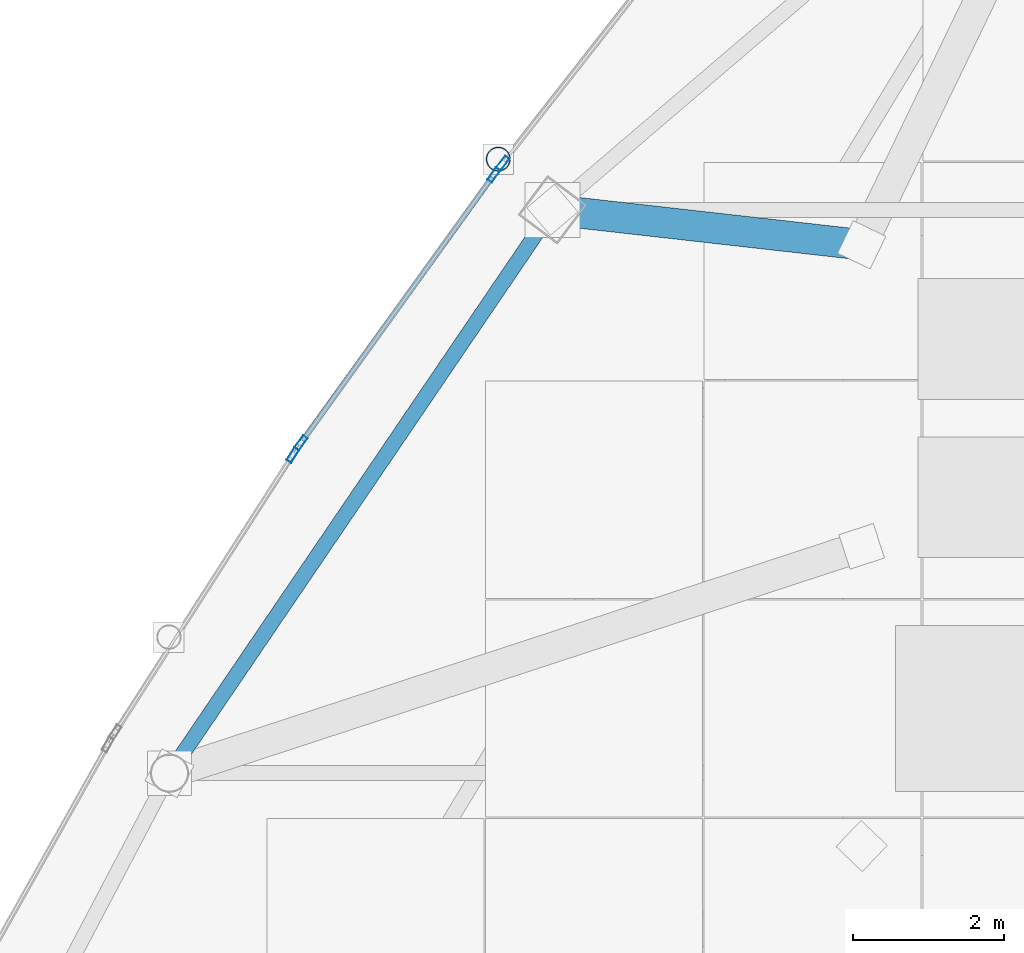
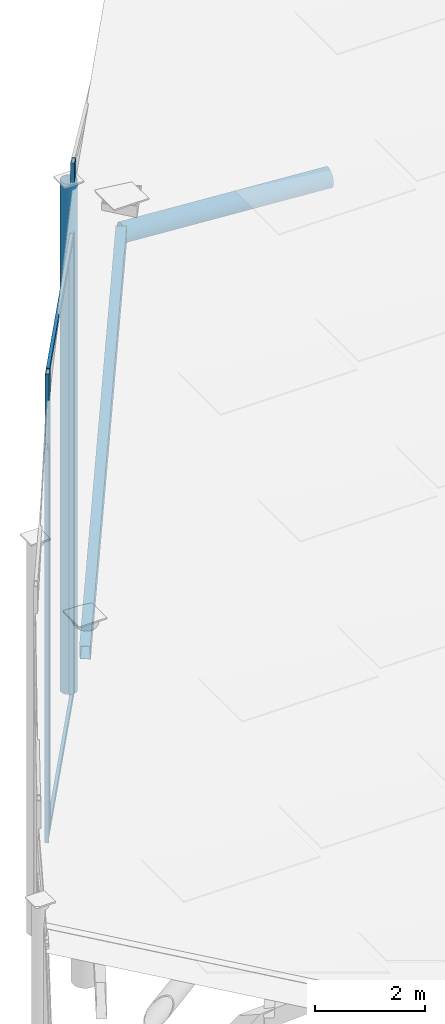
# One storey, part 8 of 21: 9 members, 3 elements without a shape of their own.
"""IFC4 building model written with IfcOpenShell, lengths in metres."""

from ifc_helpers import new_model, si_unit, direction, frame, origin, origin_2d, place, context, subcontext, project, spatial, hollow_rectangle, hollow_circle, extrude, material, layer, layer_set, material_profile, profile_set, type_object, element, aggregate, save


model = new_model("IFC4")

# Units and contexts
model_context = context("Model", 3, precision=1e-05, world=origin(), true_north=direction((0.0, 1.0)))
body_context = subcontext(model_context, "Body", "Model", "MODEL_VIEW")
ifc_project = project(units=[si_unit("LENGTHUNIT", "METRE"), si_unit("AREAUNIT", "SQUARE_METRE"), si_unit("VOLUMEUNIT", "CUBIC_METRE"), si_unit("PLANEANGLEUNIT", "RADIAN"), si_unit("MASSUNIT", "GRAM", prefix="KILO")], contexts=[model_context])

# Site, building, storey
site_placement = place(None, origin())
site = spatial("IfcSite", under=ifc_project, at=site_placement, CompositionType="ELEMENT")
building_placement = place(site_placement, origin())
building = spatial("IfcBuilding", under=site, at=building_placement, Name="Orvanel Arch Residences", CompositionType="ELEMENT")
storey_placement = place(building_placement, frame((0.0, 0.0, 314.89990234375)))
storey = spatial("IfcBuildingStorey", under=building, at=storey_placement, Name="RF", CompositionType="ELEMENT", Elevation=314.89990234375)

# Curtain wall, member
ifc_material_1 = material(Name="Bronze-anodised aluminium AA6063-T6", Category="aluminium")
ifc_layer = layer(ifc_material_1, 0.2099609375)
ifc_layer_set = layer_set([ifc_layer], Name="Bronze-anodised aluminium AA6063-T6")
curtain_wall_type = type_object("IfcCurtainWallType", Name="CW7-TOP-SYS", PredefinedType="NOTDEFINED", material=ifc_layer_set)
curtain_wall_1_placement = place(storey_placement, origin())
curtain_wall_1 = element("IfcCurtainWall", 1, at=curtain_wall_1_placement, inside=storey, type_object=curtain_wall_type, Name="RF CW7-TOP-SYS Unitised Curtain Wall", PredefinedType="NOTDEFINED")
ifc_material_profile_1 = material_profile(ifc_material_1, hollow_rectangle(XDim=0.074951171875, YDim=0.199951171875, WallThickness=0.0048828125, at=origin_2d()), Name="ALU200x75x5")
ifc_profile_set_1 = profile_set([ifc_material_profile_1], Name="Bronze-anodised aluminium AA6063-T6")
member_type_1 = type_object("IfcMemberType", Name="MUL-200x75", PredefinedType="MULLION", material=ifc_profile_set_1)
member_1_placement = place(storey_placement, frame((24.988037109375, 35.73046875, 0.0), z_axis=(0.0, 0.0, 1.0), x_axis=(0.786830004799, -0.617169785025, 0.0)))
member_1 = element("IfcMember", 2, at=member_1_placement, type_object=member_type_1, Name="CW-S7 mullion 2", PredefinedType="MULLION", context=body_context, shape_type="SweptSolid", body=[
    extrude(hollow_rectangle(XDim=0.074951171875, YDim=0.199951171875, WallThickness=0.0048828125, at=origin_2d()), origin(), (0.0, 0.0, 1.0), 11.778076171875),
])
aggregate(curtain_wall_1, [member_1])

# Curtain wall, members
curtain_wall_2_placement = place(storey_placement, origin())
curtain_wall_2 = element("IfcCurtainWall", 3, at=curtain_wall_2_placement, inside=storey, type_object=curtain_wall_type, Name="RF CW7-TOP-SYS Unitised Curtain Wall", PredefinedType="NOTDEFINED")
member_2_placement = place(storey_placement, frame((24.87109375, 35.574462890625, 0.0), z_axis=(0.0, 0.0, 1.0), x_axis=(0.811542859794, -0.584292894632, 0.0)))
member_2 = element("IfcMember", 4, at=member_2_placement, type_object=member_type_1, Name="CW-S7 mullion 1", PredefinedType="MULLION", context=body_context, shape_type="SweptSolid", body=[
    extrude(hollow_rectangle(XDim=0.074951171875, YDim=0.199951171875, WallThickness=0.0048828125, at=origin_2d()), origin(), (0.0, 0.0, 1.0), 10.276123046875),
])
member_3_placement = place(storey_placement, frame((22.31298828125, 32.021484375, 0.0), z_axis=(0.0, 0.0, 1.0), x_axis=(0.811542859794, -0.584292894632, 0.0)))
member_3 = element("IfcMember", 5, at=member_3_placement, type_object=member_type_1, Name="CW-S7 mullion 2", PredefinedType="MULLION", context=body_context, shape_type="SweptSolid", body=[
    extrude(hollow_rectangle(XDim=0.074951171875, YDim=0.199951171875, WallThickness=0.0048828125, at=origin_2d()), origin(), (0.0, 0.0, 1.0), 10.276123046875),
])

# Curtain wall, member
curtain_wall_3_placement = place(storey_placement, origin())
curtain_wall_3 = element("IfcCurtainWall", 6, at=curtain_wall_3_placement, inside=storey, type_object=curtain_wall_type, Name="RF CW7-TOP-SYS Unitised Curtain Wall", PredefinedType="NOTDEFINED")
member_4_placement = place(storey_placement, frame((22.203857421875, 31.859375, 0.0), z_axis=(0.0, 0.0, 1.0), x_axis=(0.841866013197, -0.539686590369, 0.0)))
member_4 = element("IfcMember", 7, at=member_4_placement, type_object=member_type_1, Name="CW-S7 mullion 1", PredefinedType="MULLION", context=body_context, shape_type="SweptSolid", body=[
    extrude(hollow_rectangle(XDim=0.074951171875, YDim=0.199951171875, WallThickness=0.0048828125, at=origin_2d()), origin(), (0.0, 0.0, 1.0), 8.744140625),
])
aggregate(curtain_wall_3, [member_4])

# Members
ifc_material_2 = material(Name="Structural steel AS/NZS 1163 C350L0 (Grade 350)", Category="steel")
ifc_material_profile_2 = material_profile(ifc_material_2, hollow_rectangle(XDim=0.199951171875, YDim=0.39990234375, WallThickness=0.012451171875, at=origin_2d()), Name="RHS400x200x12.5")
ifc_profile_set_2 = profile_set([ifc_material_profile_2], Name="Structural steel AS/NZS 1163 C350L0 (Grade 350)")
member_type_2 = type_object("IfcMemberType", Name="RF-400RHS-EXT", PredefinedType="RAFTER", material=ifc_profile_set_2)
member_5_placement = place(storey_placement, frame((25.64794921875, 35.113037109375, 10.320068359375), z_axis=(-0.532944021329, -0.784057673065, -0.318157563855), x_axis=(0.827032035978, -0.562154793153, 0.0)))
element("IfcMember", 8, at=member_5_placement, inside=storey, type_object=member_type_2, Name="RF Slanted Crown Outer Rim Rafter 12", PredefinedType="RAFTER", context=body_context, shape_type="SweptSolid", body=[
    extrude(hollow_rectangle(XDim=0.199951171875, YDim=0.39990234375, WallThickness=0.012451171875, at=origin_2d()), origin(), (0.0, 0.0, 1.0), 9.52978515625),
])
ifc_material_profile_3 = material_profile(ifc_material_2, hollow_circle(Radius=0.202880859375, WallThickness=0.01611328125, at=origin_2d()), Name="CHS406x16")
ifc_profile_set_3 = profile_set([ifc_material_profile_3], Name="Structural steel AS/NZS 1163 C350L0 (Grade 350)")
member_type_3 = type_object("IfcMemberType", Name="RF-406CHS-EXT", PredefinedType="RAFTER", material=ifc_profile_set_3)
member_6_placement = place(storey_placement, frame((25.64794921875, 35.113037109375, 10.320068359375), z_axis=(0.99351324124, -0.112170849817, 0.018685286527), x_axis=(0.112190436608, 0.993686724241, 0.0)))
element("IfcMember", 9, at=member_6_placement, inside=storey, type_object=member_type_3, Name="RF Slanted Crown Structural Soffit Rafter 11", PredefinedType="RAFTER", context=body_context, shape_type="SweptSolid", body=[
    extrude(hollow_circle(Radius=0.202880859375, WallThickness=0.01611328125, at=origin_2d()), origin(), (0.0, 0.0, 1.0), 4.12890625),
])
ifc_material_profile_4 = material_profile(ifc_material_2, hollow_circle(Radius=0.162109375, WallThickness=0.0126953125, at=origin_2d()), Name="CHS324x12.7")
ifc_profile_set_4 = profile_set([ifc_material_profile_4], Name="Structural steel AS/NZS 1163 C350L0 (Grade 350)")
member_type_4 = type_object("IfcMemberType", Name="ST-324CHS-EXT", PredefinedType="STRUT", material=ifc_profile_set_4)
member_7_placement = place(storey_placement, frame((24.929931640625, 35.785888671875, 0.0), z_axis=(0.0, 0.0, 1.0), x_axis=(1.0, 0.0, 0.0)))
element("IfcMember", 10, at=member_7_placement, inside=storey, type_object=member_type_4, Name="RF Crown Outer Perimeter Frame Post 01", PredefinedType="STRUT", context=body_context, shape_type="SweptSolid", body=[
    extrude(hollow_circle(Radius=0.162109375, WallThickness=0.0126953125, at=origin_2d()), origin(), (0.0, 0.0, 1.0), 11.342041015625),
])

# Member
ifc_material_profile_5 = material_profile(ifc_material_1, hollow_rectangle(XDim=0.06494140625, YDim=0.14990234375, WallThickness=0.00390625, at=origin_2d()), Name="ALU150x65x4")
ifc_profile_set_5 = profile_set([ifc_material_profile_5], Name="Bronze-anodised aluminium AA6063-T6")
member_type_5 = type_object("IfcMemberType", Name="TRN-150x65", PredefinedType="USERDEFINED", material=ifc_profile_set_5)
member_8_placement = place(storey_placement, frame((24.84912109375, 35.544189453125, 0.03271484375), z_axis=(-0.584282307835, -0.811550481948, 0.0), x_axis=(0.811550481948, -0.584282307835, 0.0)))
member_8 = element("IfcMember", 11, at=member_8_placement, type_object=member_type_5, Name="CW-S7 transom 1.1", ObjectType="TRANSOM", PredefinedType="USERDEFINED", context=body_context, shape_type="SweptSolid", body=[
    extrude(hollow_rectangle(XDim=0.06494140625, YDim=0.14990234375, WallThickness=0.00390625, at=origin_2d()), origin(), (0.0, 0.0, 1.0), 4.303466796875),
])

member_9_placement = place(storey_placement, frame((24.84912109375, 35.544189453125, 10.24365234375), z_axis=(-0.584282307835, -0.811550481948, 0.0), x_axis=(0.811550481948, -0.584282307835, 0.0)))
member_9 = element("IfcMember", 12, at=member_9_placement, type_object=member_type_5, Name="CW-S7 transom 1.2", ObjectType="TRANSOM", PredefinedType="USERDEFINED", context=body_context, shape_type="SweptSolid", body=[
    extrude(hollow_rectangle(XDim=0.06494140625, YDim=0.14990234375, WallThickness=0.00390625, at=origin_2d()), origin(), (0.0, 0.0, 1.0), 4.303466796875),
])

aggregate(curtain_wall_2, [member_2, member_3, member_8, member_9])

save(model, "model.ifc")
